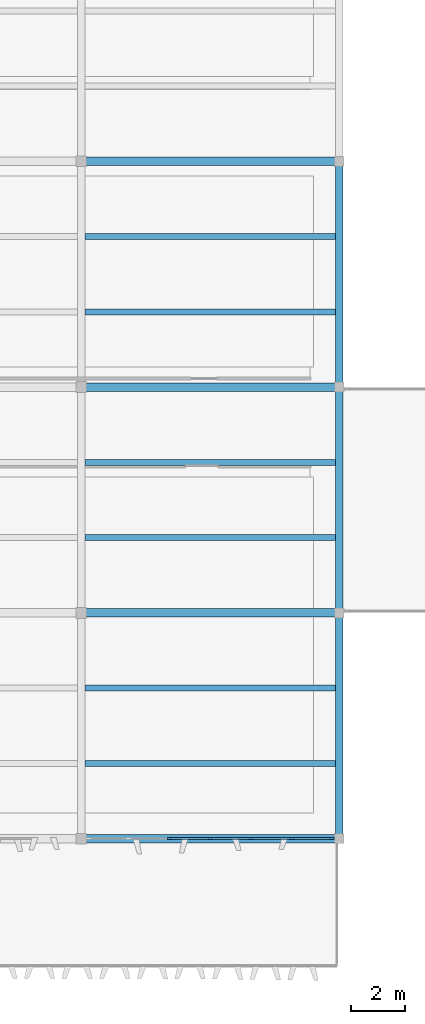
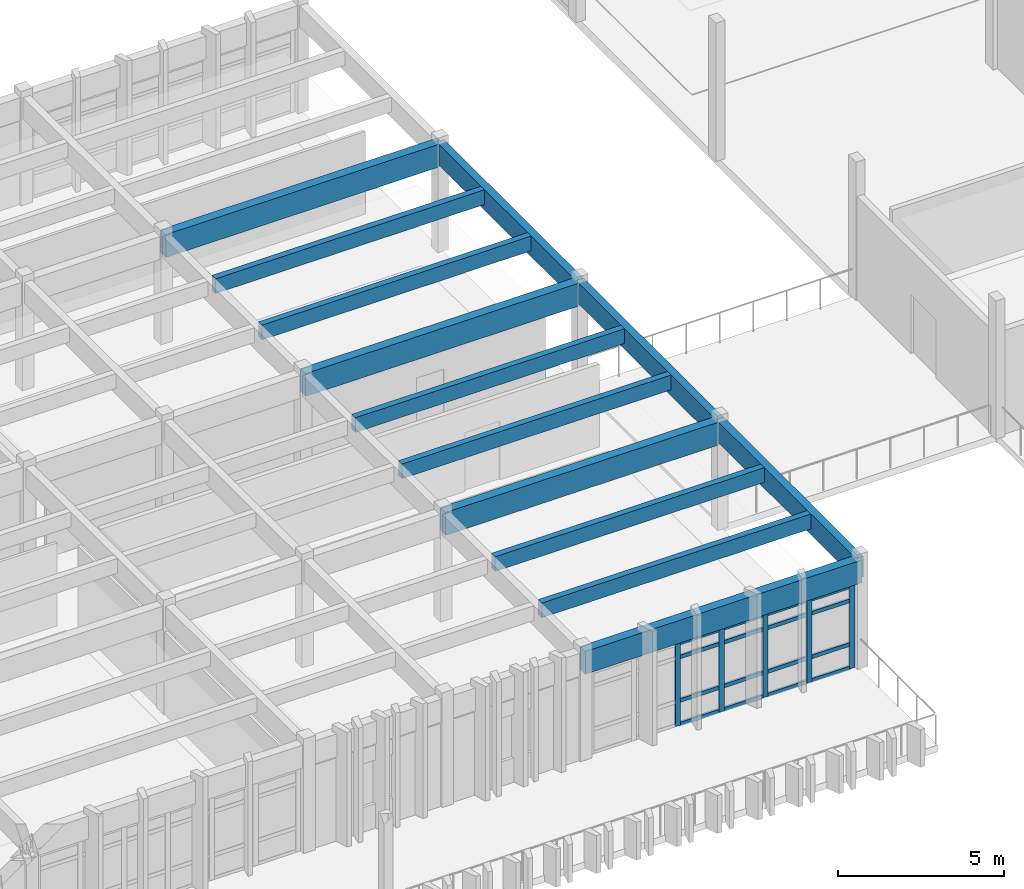
# One storey, part 22 of 61: 21 members, 13 beams, 1 element without a shape of its own.
"""IFC4 building model written with IfcOpenShell, lengths in metres."""

from ifc_helpers import new_model, si_unit, direction, frame, origin, origin_2d, place, context, subcontext, project, spatial, rectangle, extrude, material, layer, layer_set, material_profile, profile_set, type_object, element, aggregate, save


model = new_model("IFC4")

# Units and contexts
model_context = context("Model", 3, precision=1e-05, world=origin(), true_north=direction((0.0, 1.0)))
body_context = subcontext(model_context, "Body", "Model", "MODEL_VIEW")
ifc_project = project(units=[si_unit("LENGTHUNIT", "METRE"), si_unit("AREAUNIT", "SQUARE_METRE"), si_unit("VOLUMEUNIT", "CUBIC_METRE"), si_unit("PLANEANGLEUNIT", "RADIAN"), si_unit("MASSUNIT", "GRAM", prefix="KILO")], contexts=[model_context])

# Site, building, storey
site_placement = place(None, origin())
site = spatial("IfcSite", under=ifc_project, at=site_placement, CompositionType="ELEMENT")
building_placement = place(site_placement, origin())
building = spatial("IfcBuilding", under=site, at=building_placement, Name="Kolvemor Railside Polytechnic", CompositionType="ELEMENT")
storey_placement = place(building_placement, frame((0.0, 0.0, 10.199951171875)))
storey = spatial("IfcBuildingStorey", under=building, at=storey_placement, Name="L02", CompositionType="ELEMENT", Elevation=10.199951171875)

# Beams
ifc_material_1 = material(Name="Glulam GL28h", Category="wood")
ifc_material_profile_1 = material_profile(ifc_material_1, rectangle(XDim=0.264892578125, YDim=0.760009765625, at=origin_2d()), Name="GL265x760")
ifc_profile_set_1 = profile_set([ifc_material_profile_1], Name="Glulam GL28h")
beam_type_1 = type_object("IfcBeamType", Name="BM-GL-GIRD1", PredefinedType="BEAM", material=ifc_profile_set_1)
beam_1_placement = place(storey_placement, frame((134.39990234375, 4.800048828125, 3.570068359375), z_axis=(0.0, 1.0, 0.0), x_axis=(-1.0, 0.0, 0.0)))
element("IfcBeam", 1, at=beam_1_placement, inside=storey, type_object=beam_type_1, Name="Primary Girder L03-GY 1930", PredefinedType="BEAM", context=body_context, shape_type="SweptSolid", body=[
    extrude(rectangle(XDim=0.264892578125, YDim=0.760009765625, at=origin_2d()), origin(), (0.0, 0.0, 1.0), 8.39990234375),
])
beam_2_placement = place(storey_placement, frame((134.39990234375, 13.199951171875, 3.570068359375), z_axis=(0.0, 1.0, 0.0), x_axis=(-1.0, 0.0, 0.0)))
element("IfcBeam", 2, at=beam_2_placement, inside=storey, type_object=beam_type_1, Name="Primary Girder L03-GY 1931", PredefinedType="BEAM", context=body_context, shape_type="SweptSolid", body=[
    extrude(rectangle(XDim=0.264892578125, YDim=0.760009765625, at=origin_2d()), origin(), (0.0, 0.0, 1.0), 8.400146484375),
])
beam_3_placement = place(storey_placement, frame((134.39990234375, 21.60009765625, 3.570068359375), z_axis=(0.0, 1.0, 0.0), x_axis=(-1.0, 0.0, 0.0)))
element("IfcBeam", 3, at=beam_3_placement, inside=storey, type_object=beam_type_1, Name="Primary Girder L03-GY 1932", PredefinedType="BEAM", context=body_context, shape_type="SweptSolid", body=[
    extrude(rectangle(XDim=0.264892578125, YDim=0.760009765625, at=origin_2d()), origin(), (0.0, 0.0, 1.0), 8.39990234375),
])
ifc_material_2 = material(Name="Glulam GL28h", Category="wood")
ifc_material_profile_2 = material_profile(ifc_material_2, rectangle(XDim=0.31494140625, YDim=0.840087890625, at=origin_2d()), Name="GL315x840")
ifc_profile_set_2 = profile_set([ifc_material_profile_2], Name="Glulam GL28h")
beam_type_2 = type_object("IfcBeamType", Name="BM-GL-GIRD3", PredefinedType="BEAM", material=ifc_profile_set_2)
for number, where, z_axis, x_axis, name in (
    (4, (124.800048828125, 4.800048828125, 3.530029296875), (1.0, 0.0, 0.0), (0.0, 1.0, 0.0), "Primary Girder L03-GX 1925"),
    (5, (124.800048828125, 13.199951171875, 3.530029296875), (1.0, 0.0, 0.0), (0.0, 1.0, 0.0), "Primary Girder L03-GX 1926"),
    (6, (124.800048828125, 21.60009765625, 3.530029296875), (1.0, 0.0, 0.0), (0.0, 1.0, 0.0), "Primary Girder L03-GX 1927"),
    (7, (124.800048828125, 30.0, 3.530029296875), (1.0, 0.0, 0.0), (0.0, 1.0, 0.0), "Primary Girder L03-GX 1928"),
):
    element("IfcBeam", number, at=place(storey_placement, frame(where, z_axis=z_axis, x_axis=x_axis)), inside=storey, type_object=beam_type_2, Name=name, PredefinedType="BEAM", context=body_context, shape_type="SweptSolid", body=[
        extrude(rectangle(XDim=0.31494140625, YDim=0.840087890625, at=origin_2d()), origin(), (0.0, 0.0, 1.0), 9.599853515625),
    ])
ifc_material_3 = material(Name="Glulam GL28h", Category="wood")
ifc_material_profile_3 = material_profile(ifc_material_3, rectangle(XDim=0.215087890625, YDim=0.5400390625, at=origin_2d()), Name="GL215x540")
ifc_profile_set_3 = profile_set([ifc_material_profile_3], Name="Glulam GL28h")
beam_type_3 = type_object("IfcBeamType", Name="BM-GL-JST1", PredefinedType="JOIST", material=ifc_profile_set_3)
for number, where, z_axis, x_axis, name in (
    (8, (124.93310546875, 7.60009765625, 3.679931640625), (1.0, 0.0, 0.0), (0.0, 1.0, 0.0), "Floor Joist L03-J1934"),
    (9, (124.93310546875, 10.39990234375, 3.679931640625), (1.0, 0.0, 0.0), (0.0, 1.0, 0.0), "Floor Joist L03-J1935"),
    (10, (124.93310546875, 16.0, 3.679931640625), (1.0, 0.0, 0.0), (0.0, 1.0, 0.0), "Floor Joist L03-J1936"),
    (11, (124.93310546875, 18.800048828125, 3.679931640625), (1.0, 0.0, 0.0), (0.0, 1.0, 0.0), "Floor Joist L03-J1937"),
    (12, (124.93310546875, 24.39990234375, 3.679931640625), (1.0, 0.0, 0.0), (0.0, 1.0, 0.0), "Floor Joist L03-J1938"),
    (13, (124.93310546875, 27.199951171875, 3.679931640625), (1.0, 0.0, 0.0), (0.0, 1.0, 0.0), "Floor Joist L03-J1939"),
):
    element("IfcBeam", number, at=place(storey_placement, frame(where, z_axis=z_axis, x_axis=x_axis)), inside=storey, type_object=beam_type_3, Name=name, PredefinedType="JOIST", context=body_context, shape_type="SweptSolid", body=[
        extrude(rectangle(XDim=0.215087890625, YDim=0.5400390625, at=origin_2d()), origin(), (0.0, 0.0, 1.0), 9.333984375),
    ])

# Curtain wall, members
ifc_material_4 = material(Name="Anodised marine aluminium and laminated low-E glass", Category="aluminium")
ifc_layer = layer(ifc_material_4, 0.179931640625, Name="CW-UNIT-STD")
ifc_layer_set = layer_set([ifc_layer], Name="Anodised marine aluminium and laminated low-E glass")
curtain_wall_type = type_object("IfcCurtainWallType", Name="CW-UNIT-STD", PredefinedType="USERDEFINED", material=ifc_layer_set)
curtain_wall_placement = place(storey_placement, origin())
curtain_wall = element("IfcCurtainWall", 14, at=curtain_wall_placement, inside=storey, type_object=curtain_wall_type, Name="Curtain Wall L02-100", ObjectType="UNITISED CURTAIN WALL", PredefinedType="USERDEFINED")
ifc_material_5 = material(Name="Anodised marine aluminium 6063-T6", Category="aluminium")
ifc_material_profile_4 = material_profile(ifc_material_5, rectangle(XDim=0.074951171875, YDim=0.179931640625, at=origin_2d()), Name="CW-MUL-75x180")
ifc_profile_set_4 = profile_set([ifc_material_profile_4], Name="Anodised marine aluminium 6063-T6")
member_type_1 = type_object("IfcMemberType", Name="CWM-75x180", PredefinedType="MULLION", material=ifc_profile_set_4)
member_1_placement = place(storey_placement, frame((128.080078125, 4.800048828125, 0.0), z_axis=(0.0, 0.0, 1.0), x_axis=(0.0, 1.0, 0.0)))
member_1 = element("IfcMember", 15, at=member_1_placement, type_object=member_type_1, Name="CW-STD mullion 3", PredefinedType="MULLION", context=body_context, shape_type="SweptSolid", body=[
    extrude(rectangle(XDim=0.074951171875, YDim=0.179931640625, at=origin_2d()), origin(), (0.0, 0.0, 1.0), 3.050048828125),
])
member_2_placement = place(storey_placement, frame((129.60009765625, 4.800048828125, 0.0), z_axis=(0.0, 0.0, 1.0), x_axis=(0.0, 1.0, 0.0)))
member_2 = element("IfcMember", 16, at=member_2_placement, type_object=member_type_1, Name="CW-STD mullion 4", PredefinedType="MULLION", context=body_context, shape_type="SweptSolid", body=[
    extrude(rectangle(XDim=0.074951171875, YDim=0.179931640625, at=origin_2d()), origin(), (0.0, 0.0, 1.0), 3.050048828125),
])
member_3_placement = place(storey_placement, frame((131.1201171875, 4.800048828125, 0.0), z_axis=(0.0, 0.0, 1.0), x_axis=(0.0, 1.0, 0.0)))
member_3 = element("IfcMember", 17, at=member_3_placement, type_object=member_type_1, Name="CW-STD mullion 5", PredefinedType="MULLION", context=body_context, shape_type="SweptSolid", body=[
    extrude(rectangle(XDim=0.074951171875, YDim=0.179931640625, at=origin_2d()), origin(), (0.0, 0.0, 1.0), 3.050048828125),
])
member_4_placement = place(storey_placement, frame((132.639892578125, 4.800048828125, 0.0), z_axis=(0.0, 0.0, 1.0), x_axis=(0.0, 1.0, 0.0)))
member_4 = element("IfcMember", 18, at=member_4_placement, type_object=member_type_1, Name="CW-STD mullion 6", PredefinedType="MULLION", context=body_context, shape_type="SweptSolid", body=[
    extrude(rectangle(XDim=0.074951171875, YDim=0.179931640625, at=origin_2d()), origin(), (0.0, 0.0, 1.0), 3.050048828125),
])
member_5_placement = place(storey_placement, frame((134.12255859375, 4.800048828125, 0.0), z_axis=(0.0, 0.0, 1.0), x_axis=(0.0, 1.0, 0.0)))
member_5 = element("IfcMember", 19, at=member_5_placement, type_object=member_type_1, Name="CW-STD mullion 7", PredefinedType="MULLION", context=body_context, shape_type="SweptSolid", body=[
    extrude(rectangle(XDim=0.074951171875, YDim=0.179931640625, at=origin_2d()), origin(), (0.0, 0.0, 1.0), 3.050048828125),
])
ifc_material_6 = material(Name="Anodised marine aluminium 6063-T6", Category="aluminium")
ifc_material_profile_5 = material_profile(ifc_material_6, rectangle(XDim=0.074951171875, YDim=0.139892578125, at=origin_2d()), Name="CW-TRN-75x140")
ifc_profile_set_5 = profile_set([ifc_material_profile_5], Name="Anodised marine aluminium 6063-T6")
member_type_2 = type_object("IfcMemberType", Name="CWT-75x140", PredefinedType="USERDEFINED", material=ifc_profile_set_5)
member_6_placement = place(storey_placement, frame((128.117431640625, 4.800048828125, 0.03759765625), z_axis=(1.0, 0.0, 0.0), x_axis=(0.0, 1.0, 0.0)))
member_6 = element("IfcMember", 20, at=member_6_placement, type_object=member_type_2, Name="CW-STD transom 3.1", ObjectType="TRANSOM", PredefinedType="USERDEFINED", context=body_context, shape_type="SweptSolid", body=[
    extrude(rectangle(XDim=0.074951171875, YDim=0.139892578125, at=origin_2d()), origin(), (0.0, 0.0, 1.0), 1.445068359375),
])
member_7_placement = place(storey_placement, frame((128.117431640625, 4.800048828125, 0.900146484375), z_axis=(1.0, 0.0, 0.0), x_axis=(0.0, 1.0, 0.0)))
member_7 = element("IfcMember", 21, at=member_7_placement, type_object=member_type_2, Name="CW-STD transom 3.2", ObjectType="TRANSOM", PredefinedType="USERDEFINED", context=body_context, shape_type="SweptSolid", body=[
    extrude(rectangle(XDim=0.074951171875, YDim=0.139892578125, at=origin_2d()), origin(), (0.0, 0.0, 1.0), 1.445068359375),
])
member_8_placement = place(storey_placement, frame((128.117431640625, 4.800048828125, 2.5), z_axis=(1.0, 0.0, 0.0), x_axis=(0.0, 1.0, 0.0)))
member_8 = element("IfcMember", 22, at=member_8_placement, type_object=member_type_2, Name="CW-STD transom 3.3", ObjectType="TRANSOM", PredefinedType="USERDEFINED", context=body_context, shape_type="SweptSolid", body=[
    extrude(rectangle(XDim=0.074951171875, YDim=0.139892578125, at=origin_2d()), origin(), (0.0, 0.0, 1.0), 1.445068359375),
])
member_9_placement = place(storey_placement, frame((128.117431640625, 4.800048828125, 3.012451171875), z_axis=(1.0, 0.0, 0.0), x_axis=(0.0, 1.0, 0.0)))
member_9 = element("IfcMember", 23, at=member_9_placement, type_object=member_type_2, Name="CW-STD transom 3.4", ObjectType="TRANSOM", PredefinedType="USERDEFINED", context=body_context, shape_type="SweptSolid", body=[
    extrude(rectangle(XDim=0.074951171875, YDim=0.139892578125, at=origin_2d()), origin(), (0.0, 0.0, 1.0), 1.445068359375),
])
member_10_placement = place(storey_placement, frame((129.637451171875, 4.800048828125, 0.03759765625), z_axis=(1.0, 0.0, 0.0), x_axis=(0.0, 1.0, 0.0)))
member_10 = element("IfcMember", 24, at=member_10_placement, type_object=member_type_2, Name="CW-STD transom 4.1", ObjectType="TRANSOM", PredefinedType="USERDEFINED", context=body_context, shape_type="SweptSolid", body=[
    extrude(rectangle(XDim=0.074951171875, YDim=0.139892578125, at=origin_2d()), origin(), (0.0, 0.0, 1.0), 1.445068359375),
])
member_11_placement = place(storey_placement, frame((129.637451171875, 4.800048828125, 0.900146484375), z_axis=(1.0, 0.0, 0.0), x_axis=(0.0, 1.0, 0.0)))
member_11 = element("IfcMember", 25, at=member_11_placement, type_object=member_type_2, Name="CW-STD transom 4.2", ObjectType="TRANSOM", PredefinedType="USERDEFINED", context=body_context, shape_type="SweptSolid", body=[
    extrude(rectangle(XDim=0.074951171875, YDim=0.139892578125, at=origin_2d()), origin(), (0.0, 0.0, 1.0), 1.445068359375),
])
member_12_placement = place(storey_placement, frame((129.637451171875, 4.800048828125, 2.5), z_axis=(1.0, 0.0, 0.0), x_axis=(0.0, 1.0, 0.0)))
member_12 = element("IfcMember", 26, at=member_12_placement, type_object=member_type_2, Name="CW-STD transom 4.3", ObjectType="TRANSOM", PredefinedType="USERDEFINED", context=body_context, shape_type="SweptSolid", body=[
    extrude(rectangle(XDim=0.074951171875, YDim=0.139892578125, at=origin_2d()), origin(), (0.0, 0.0, 1.0), 1.445068359375),
])
member_13_placement = place(storey_placement, frame((129.637451171875, 4.800048828125, 3.012451171875), z_axis=(1.0, 0.0, 0.0), x_axis=(0.0, 1.0, 0.0)))
member_13 = element("IfcMember", 27, at=member_13_placement, type_object=member_type_2, Name="CW-STD transom 4.4", ObjectType="TRANSOM", PredefinedType="USERDEFINED", context=body_context, shape_type="SweptSolid", body=[
    extrude(rectangle(XDim=0.074951171875, YDim=0.139892578125, at=origin_2d()), origin(), (0.0, 0.0, 1.0), 1.445068359375),
])
member_14_placement = place(storey_placement, frame((131.157470703125, 4.800048828125, 0.03759765625), z_axis=(1.0, 0.0, 0.0), x_axis=(0.0, 1.0, 0.0)))
member_14 = element("IfcMember", 28, at=member_14_placement, type_object=member_type_2, Name="CW-STD transom 5.1", ObjectType="TRANSOM", PredefinedType="USERDEFINED", context=body_context, shape_type="SweptSolid", body=[
    extrude(rectangle(XDim=0.074951171875, YDim=0.139892578125, at=origin_2d()), origin(), (0.0, 0.0, 1.0), 1.445068359375),
])
member_15_placement = place(storey_placement, frame((131.157470703125, 4.800048828125, 0.900146484375), z_axis=(1.0, 0.0, 0.0), x_axis=(0.0, 1.0, 0.0)))
member_15 = element("IfcMember", 29, at=member_15_placement, type_object=member_type_2, Name="CW-STD transom 5.2", ObjectType="TRANSOM", PredefinedType="USERDEFINED", context=body_context, shape_type="SweptSolid", body=[
    extrude(rectangle(XDim=0.074951171875, YDim=0.139892578125, at=origin_2d()), origin(), (0.0, 0.0, 1.0), 1.445068359375),
])
member_16_placement = place(storey_placement, frame((131.157470703125, 4.800048828125, 2.5), z_axis=(1.0, 0.0, 0.0), x_axis=(0.0, 1.0, 0.0)))
member_16 = element("IfcMember", 30, at=member_16_placement, type_object=member_type_2, Name="CW-STD transom 5.3", ObjectType="TRANSOM", PredefinedType="USERDEFINED", context=body_context, shape_type="SweptSolid", body=[
    extrude(rectangle(XDim=0.074951171875, YDim=0.139892578125, at=origin_2d()), origin(), (0.0, 0.0, 1.0), 1.445068359375),
])
member_17_placement = place(storey_placement, frame((131.157470703125, 4.800048828125, 3.012451171875), z_axis=(1.0, 0.0, 0.0), x_axis=(0.0, 1.0, 0.0)))
member_17 = element("IfcMember", 31, at=member_17_placement, type_object=member_type_2, Name="CW-STD transom 5.4", ObjectType="TRANSOM", PredefinedType="USERDEFINED", context=body_context, shape_type="SweptSolid", body=[
    extrude(rectangle(XDim=0.074951171875, YDim=0.139892578125, at=origin_2d()), origin(), (0.0, 0.0, 1.0), 1.445068359375),
])
member_18_placement = place(storey_placement, frame((132.677490234375, 4.800048828125, 0.03759765625), z_axis=(1.0, 0.0, 0.0), x_axis=(0.0, 1.0, 0.0)))
member_18 = element("IfcMember", 32, at=member_18_placement, type_object=member_type_2, Name="CW-STD transom 6.1", ObjectType="TRANSOM", PredefinedType="USERDEFINED", context=body_context, shape_type="SweptSolid", body=[
    extrude(rectangle(XDim=0.074951171875, YDim=0.139892578125, at=origin_2d()), origin(), (0.0, 0.0, 1.0), 1.407470703125),
])
member_19_placement = place(storey_placement, frame((132.677490234375, 4.800048828125, 0.900146484375), z_axis=(1.0, 0.0, 0.0), x_axis=(0.0, 1.0, 0.0)))
member_19 = element("IfcMember", 33, at=member_19_placement, type_object=member_type_2, Name="CW-STD transom 6.2", ObjectType="TRANSOM", PredefinedType="USERDEFINED", context=body_context, shape_type="SweptSolid", body=[
    extrude(rectangle(XDim=0.074951171875, YDim=0.139892578125, at=origin_2d()), origin(), (0.0, 0.0, 1.0), 1.407470703125),
])
member_20_placement = place(storey_placement, frame((132.677490234375, 4.800048828125, 2.5), z_axis=(1.0, 0.0, 0.0), x_axis=(0.0, 1.0, 0.0)))
member_20 = element("IfcMember", 34, at=member_20_placement, type_object=member_type_2, Name="CW-STD transom 6.3", ObjectType="TRANSOM", PredefinedType="USERDEFINED", context=body_context, shape_type="SweptSolid", body=[
    extrude(rectangle(XDim=0.074951171875, YDim=0.139892578125, at=origin_2d()), origin(), (0.0, 0.0, 1.0), 1.407470703125),
])
member_21_placement = place(storey_placement, frame((132.677490234375, 4.800048828125, 3.012451171875), z_axis=(1.0, 0.0, 0.0), x_axis=(0.0, 1.0, 0.0)))
member_21 = element("IfcMember", 35, at=member_21_placement, type_object=member_type_2, Name="CW-STD transom 6.4", ObjectType="TRANSOM", PredefinedType="USERDEFINED", context=body_context, shape_type="SweptSolid", body=[
    extrude(rectangle(XDim=0.074951171875, YDim=0.139892578125, at=origin_2d()), origin(), (0.0, 0.0, 1.0), 1.407470703125),
])
aggregate(curtain_wall, [member_1, member_2, member_3, member_4, member_5, member_6, member_7, member_8, member_9, member_10, member_11, member_12, member_13, member_14, member_15, member_16, member_17, member_18, member_19, member_20, member_21])

save(model, "model.ifc")
